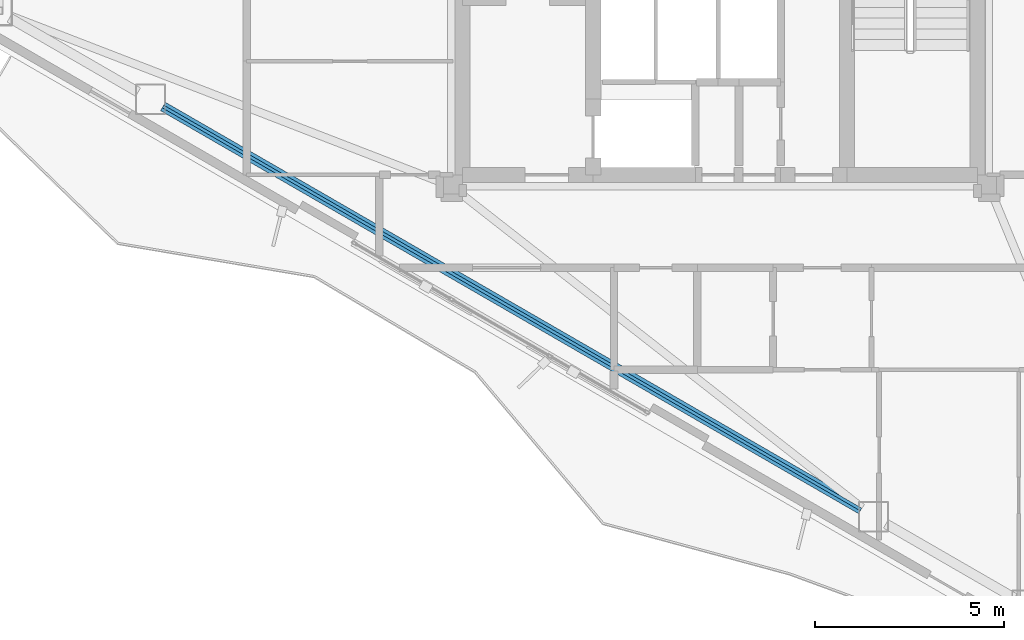
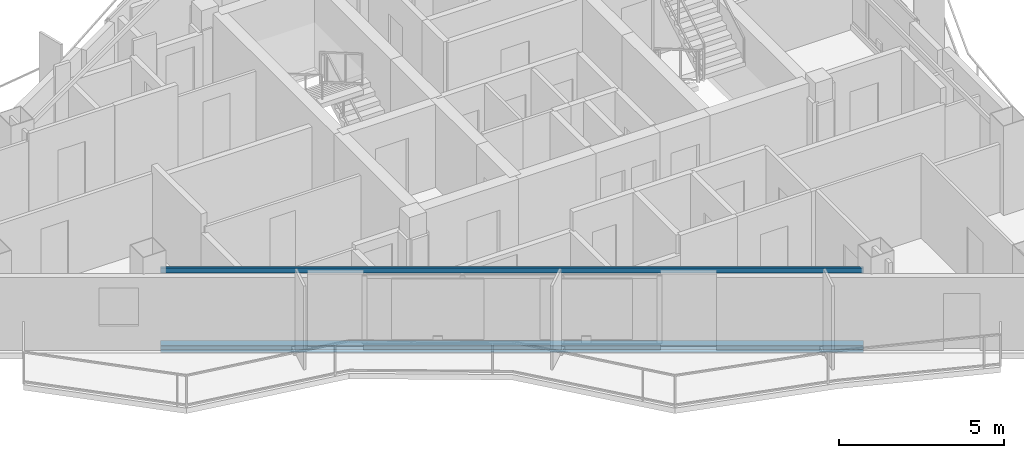
# One storey, part 3 of 22: 2 beams.
"""IFC4 building model written with IfcOpenShell, lengths in metres."""

from ifc_helpers import new_model, si_unit, direction, frame, origin, origin_2d, place, context, subcontext, project, spatial, hollow_rectangle, i_section, extrude, material, material_profile, profile_set, type_object, element, save


model = new_model("IFC4")

# Units and contexts
model_context = context("Model", 3, precision=1e-05, world=origin(), true_north=direction((0.0, 1.0)))
body_context = subcontext(model_context, "Body", "Model", "MODEL_VIEW")
ifc_project = project(units=[si_unit("LENGTHUNIT", "METRE"), si_unit("AREAUNIT", "SQUARE_METRE"), si_unit("VOLUMEUNIT", "CUBIC_METRE"), si_unit("PLANEANGLEUNIT", "RADIAN"), si_unit("MASSUNIT", "GRAM", prefix="KILO")], contexts=[model_context])

# Site, building, storey
site_placement = place(None, origin())
site = spatial("IfcSite", under=ifc_project, at=site_placement, CompositionType="ELEMENT")
building_placement = place(site_placement, origin())
building = spatial("IfcBuilding", under=site, at=building_placement, Name="Mersakhor Tower and Convention Hall", CompositionType="ELEMENT")
storey_placement = place(building_placement, frame((0.0, 0.0, 201.89990234375)))
storey = spatial("IfcBuildingStorey", under=building, at=storey_placement, Name="L56", CompositionType="ELEMENT", Elevation=201.89990234375)

# Beams
ifc_material_1 = material(Name="Steel S355", Category="steel")
ifc_material_profile_1 = material_profile(ifc_material_1, hollow_rectangle(XDim=0.080078125, YDim=0.179931640625, WallThickness=0.008056640625, at=origin_2d()), Name="RHS 180x80x8")
ifc_profile_set_1 = profile_set([ifc_material_profile_1], Name="Steel S355")
beam_type_1 = type_object("IfcBeamType", Name="BM-GRT-RHS180", PredefinedType="USERDEFINED", material=ifc_profile_set_1)
beam_1_placement = place(storey_placement, frame((32.72265625, 11.912353515625, 2.47998046875), z_axis=(-0.866024569776, 0.500001444543, 0.0), x_axis=(-0.500001444543, -0.866024569776, 0.0)))
element("IfcBeam", 1, at=beam_1_placement, inside=storey, type_object=beam_type_1, Name="L56 Facade Support Girt GRT-F3", ObjectType="GIRT", PredefinedType="USERDEFINED", context=body_context, shape_type="SweptSolid", body=[
    extrude(hollow_rectangle(XDim=0.080078125, YDim=0.179931640625, WallThickness=0.008056640625, at=origin_2d()), origin(), (0.0, 0.0, 1.0), 21.28564453125),
])
ifc_material_2 = material(Name="Steel S355", Category="steel")
ifc_material_profile_2 = material_profile(ifc_material_2, i_section(OverallWidth=0.25634765625, OverallDepth=0.26025390625, WebThickness=0.01025390625, FlangeThickness=0.017333984375, at=origin_2d()), Name="UC 254x254x89")
ifc_profile_set_2 = profile_set([ifc_material_profile_2], Name="Steel S355")
beam_type_2 = type_object("IfcBeamType", Name="BM-SPD-UC254", PredefinedType="SPANDREL", material=ifc_profile_set_2)
beam_2_placement = place(storey_placement, frame((32.72265625, 11.912353515625, -0.360107421875), z_axis=(-0.866024569776, 0.500001444543, 0.0), x_axis=(-0.500001444543, -0.866024569776, 0.0)))
element("IfcBeam", 2, at=beam_2_placement, inside=storey, type_object=beam_type_2, Name="L56 Perimeter Spandrel Beam SPB-10", PredefinedType="SPANDREL", context=body_context, shape_type="SweptSolid", body=[
    extrude(i_section(OverallWidth=0.25634765625, OverallDepth=0.26025390625, WebThickness=0.01025390625, FlangeThickness=0.017333984375, at=origin_2d()), origin(), (0.0, 0.0, 1.0), 21.28564453125),
])

save(model, "model.ifc")
